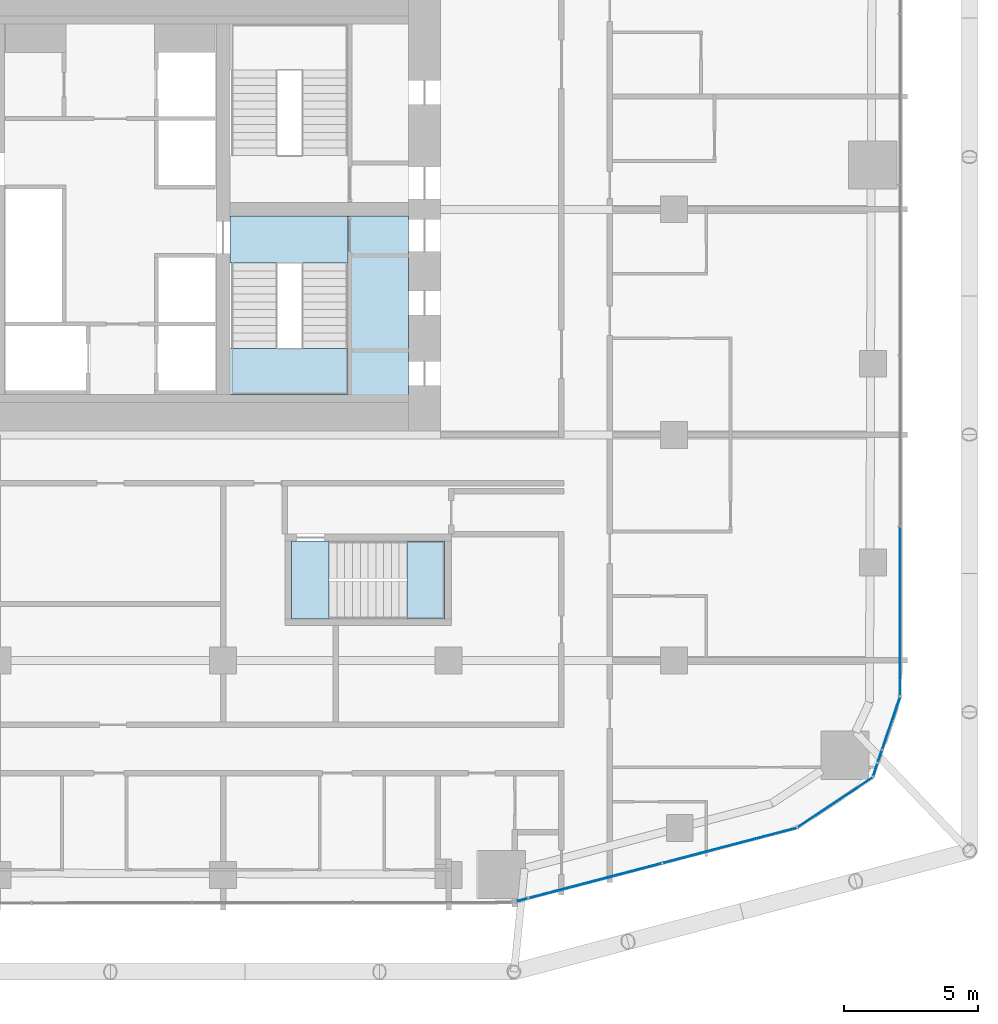
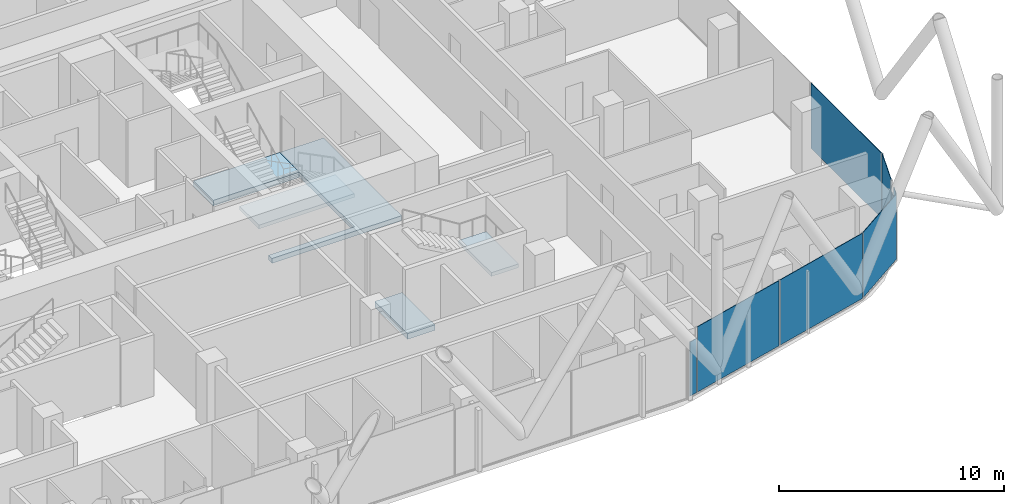
# One storey, part 20 of 34: 8 plates, 5 slabs, 9 elements without a shape of their own.
"""IFC4 building model written with IfcOpenShell, lengths in metres."""

from ifc_helpers import new_model, si_unit, direction, frame, origin, origin_2d, place, context, subcontext, project, spatial, polyline, rectangle, outline, extrude, material, layer, layer_set, type_object, element, aggregate, save


model = new_model("IFC4")

# Units and contexts
model_context = context("Model", 3, precision=1e-05, world=origin(), true_north=direction((0.0, 1.0)))
body_context = subcontext(model_context, "Body", "Model", "MODEL_VIEW")
ifc_project = project(units=[si_unit("LENGTHUNIT", "METRE"), si_unit("AREAUNIT", "SQUARE_METRE"), si_unit("VOLUMEUNIT", "CUBIC_METRE"), si_unit("PLANEANGLEUNIT", "RADIAN"), si_unit("MASSUNIT", "GRAM", prefix="KILO")], contexts=[model_context])

# Site, building, storey
site_placement = place(None, origin())
site = spatial("IfcSite", under=ifc_project, at=site_placement, CompositionType="ELEMENT")
building_placement = place(site_placement, origin())
building = spatial("IfcBuilding", under=site, at=building_placement, Name="Marenta Gate Hotel Tower", CompositionType="ELEMENT")
storey_placement = place(building_placement, frame((0.0, 0.0, 47.300048828125)))
storey = spatial("IfcBuildingStorey", under=building, at=storey_placement, Name="L09", CompositionType="ELEMENT", Elevation=47.300048828125)

# Slab
ifc_material_1 = material(Name="Concrete C40", Category="concrete")
ifc_layer_1 = layer(ifc_material_1, 0.260009765625)
ifc_layer_set_1 = layer_set([ifc_layer_1], Name="Concrete C40")
slab_type_1 = type_object("IfcSlabType", Name="Core floor slab 260", PredefinedType="FLOOR", material=ifc_layer_set_1)
slab_1_placement = place(storey_placement, frame((0.0, 0.0, -0.260009765625)))
element("IfcSlab", 1, at=slab_1_placement, inside=storey, type_object=slab_type_1, Name="L09-CF-2", PredefinedType="FLOOR", context=body_context, shape_type="SweptSolid", body=[
    extrude(outline(polyline([(8.85009765625, 1.5), (8.85009765625, 6.39990234375), (8.85009765625, 8.10009765625), (8.85009765625, 8.14990234375), (11.10009765625, 8.14990234375), (11.10009765625, 1.199951171875), (4.449951171875, 1.199951171875), (4.449951171875, 1.5), (8.85009765625, 1.5)])), origin(), (0.0, 0.0, 1.0), 0.260009765625),
])

# Stair, slab
ifc_material_2 = material(Name="Concrete C40", Category="concrete")
stair_type_1 = type_object("IfcStairType", Name="Core exit stair 1700 wide", PredefinedType="HALF_TURN_STAIR", material=ifc_material_2)
stair_1_placement = place(storey_placement, origin())
stair_1 = element("IfcStair", 2, at=stair_1_placement, inside=storey, type_object=stair_type_1, Name="Exit stair 3", PredefinedType="HALF_TURN_STAIR")
ifc_material_3 = material(Name="Concrete C40", Category="concrete")
ifc_layer_2 = layer(ifc_material_3, 0.199951171875)
ifc_layer_set_2 = layer_set([ifc_layer_2], Name="Concrete C40")
slab_type_2 = type_object("IfcSlabType", Name="Core stair landing 200", PredefinedType="LANDING", material=ifc_layer_set_2)
slab_2_placement = place(storey_placement, frame((0.0, 0.0, 1.599853515625)))
slab_2 = element("IfcSlab", 3, at=slab_2_placement, type_object=slab_type_2, Name="SL-200 ST3 landing 1", PredefinedType="LANDING", context=body_context, shape_type="SweptSolid", body=[
    extrude(outline(polyline([(3.949951171875, 1.5), (8.85009765625, 1.5), (8.85009765625, 3.2099609375), (3.949951171875, 3.2099609375), (3.949951171875, 1.5)])), origin(), (0.0, 0.0, 1.0), 0.2001953125),
])
aggregate(stair_1, [slab_2])

# Curtain wall, plate
ifc_material_4 = material(Name="Tinted insulated glass in bronze anodised frame", Category="glass")
ifc_layer_3 = layer(ifc_material_4, 0.1201171875)
ifc_layer_set_3 = layer_set([ifc_layer_3], Name="Tinted insulated glass in bronze anodised frame")
curtain_wall_type = type_object("IfcCurtainWallType", Name="Tower unitised curtain wall CW1", PredefinedType="NOTDEFINED", material=ifc_layer_set_3)
curtain_wall_1_placement = place(storey_placement, origin())
curtain_wall_1 = element("IfcCurtainWall", 4, at=curtain_wall_1_placement, inside=storey, type_object=curtain_wall_type, Name="CW1 run G12", PredefinedType="NOTDEFINED")
ifc_material_5 = material(Name="Tinted insulated glass", Category="glass")
ifc_layer_4 = layer(ifc_material_5, 0.028076171875)
ifc_layer_set_4 = layer_set([ifc_layer_4], Name="Tinted insulated glass")
plate_type = type_object("IfcPlateType", Name="Glass panel CW1 28 mm tinted insulated unit", PredefinedType="CURTAIN_PANEL", material=ifc_layer_set_4)
plate_1_placement = place(storey_placement, frame((15.337158203125, -17.322998046875, 0.059814453125), z_axis=(0.0, 0.0, 1.0), x_axis=(0.967355319897, 0.25342392363, 0.0)))
plate_1 = element("IfcPlate", 5, at=plate_1_placement, type_object=plate_type, Name="CW1 panel 1.1", PredefinedType="CURTAIN_PANEL", context=body_context, shape_type="SweptSolid", body=[
    extrude(rectangle(XDim=0.42333984375, YDim=0.028076171875, at=origin_2d()), origin(), (0.0, 0.0, 1.0), 2.9404296875),
])
aggregate(curtain_wall_1, [plate_1])

# Curtain wall, plates
curtain_wall_2_placement = place(storey_placement, origin())
curtain_wall_2 = element("IfcCurtainWall", 6, at=curtain_wall_2_placement, inside=storey, type_object=curtain_wall_type, Name="CW1 run G13", PredefinedType="NOTDEFINED")
plate_2_placement = place(storey_placement, frame((18.06298828125, -16.609130859375, 0.059814453125), z_axis=(0.0, 0.0, 1.0), x_axis=(0.967371097224, 0.253363691666, 0.0)))
plate_2 = element("IfcPlate", 7, at=plate_2_placement, type_object=plate_type, Name="CW1 panel 1.1", PredefinedType="CURTAIN_PANEL", context=body_context, shape_type="SweptSolid", body=[
    extrude(rectangle(XDim=5.091796875, YDim=0.028076171875, at=origin_2d()), origin(), (0.0, 0.0, 1.0), 3.5400390625),
])
plate_3_placement = place(storey_placement, frame((23.07568359375, -15.296142578125, 0.059814453125), z_axis=(0.0, 0.0, 1.0), x_axis=(0.967371097224, 0.253363691666, 0.0)))
plate_3 = element("IfcPlate", 8, at=plate_3_placement, type_object=plate_type, Name="CW1 panel 2.1", PredefinedType="CURTAIN_PANEL", context=body_context, shape_type="SweptSolid", body=[
    extrude(rectangle(XDim=5.15185546875, YDim=0.028076171875, at=origin_2d()), origin(), (0.0, 0.0, 1.0), 3.5400390625),
])
aggregate(curtain_wall_2, [plate_2, plate_3])

# Curtain wall, plate
curtain_wall_3_placement = place(storey_placement, origin())
curtain_wall_3 = element("IfcCurtainWall", 9, at=curtain_wall_3_placement, inside=storey, type_object=curtain_wall_type, Name="CW1 run G14", PredefinedType="NOTDEFINED")
plate_4_placement = place(storey_placement, frame((27.006591796875, -13.685791015625, 0.059814453125), z_axis=(0.0, 0.0, 1.0), x_axis=(0.832493824282, 0.554034324326, 0.0)))
plate_4 = element("IfcPlate", 10, at=plate_4_placement, type_object=plate_type, Name="CW1 panel 1.1", PredefinedType="CURTAIN_PANEL", context=body_context, shape_type="SweptSolid", body=[
    extrude(rectangle(XDim=3.33740234375, YDim=0.028076171875, at=origin_2d()), origin(), (0.0, 0.0, 1.0), 3.5400390625),
])
aggregate(curtain_wall_3, [plate_4])

curtain_wall_4_placement = place(storey_placement, origin())
curtain_wall_4 = element("IfcCurtainWall", 11, at=curtain_wall_4_placement, inside=storey, type_object=curtain_wall_type, Name="CW1 run G15", PredefinedType="NOTDEFINED")
plate_5_placement = place(storey_placement, frame((28.493408203125, -12.474609375, 0.059814453125), z_axis=(0.0, 0.0, 1.0), x_axis=(0.322050601446, 0.946722456746, 0.0)))
plate_5 = element("IfcPlate", 12, at=plate_5_placement, type_object=plate_type, Name="CW1 panel 1.1", PredefinedType="CURTAIN_PANEL", context=body_context, shape_type="SweptSolid", body=[
    extrude(rectangle(XDim=0.485595703125, YDim=0.028076171875, at=origin_2d()), origin(), (0.0, 0.0, 1.0), 3.5400390625),
])
aggregate(curtain_wall_4, [plate_5])

curtain_wall_5_placement = place(storey_placement, origin())
curtain_wall_5 = element("IfcCurtainWall", 13, at=curtain_wall_5_placement, inside=storey, type_object=curtain_wall_type, Name="CW1 run G16", PredefinedType="NOTDEFINED")
plate_6_placement = place(storey_placement, frame((28.663330078125, -11.974853515625, 0.059814453125), z_axis=(0.0, 0.0, 1.0), x_axis=(0.321979977321, 0.946746478316, 0.0)))
plate_6 = element("IfcPlate", 14, at=plate_6_placement, type_object=plate_type, Name="CW1 panel 1.1", PredefinedType="CURTAIN_PANEL", context=body_context, shape_type="SweptSolid", body=[
    extrude(rectangle(XDim=0.45068359375, YDim=0.028076171875, at=origin_2d()), origin(), (0.0, 0.0, 1.0), 2.9404296875),
])
aggregate(curtain_wall_5, [plate_6])

curtain_wall_6_placement = place(storey_placement, origin())
curtain_wall_6 = element("IfcCurtainWall", 15, at=curtain_wall_6_placement, inside=storey, type_object=curtain_wall_type, Name="CW1 run G17", PredefinedType="NOTDEFINED")
plate_7_placement = place(storey_placement, frame((29.084716796875, -10.736328125, 0.059814453125), z_axis=(0.0, 0.0, 1.0), x_axis=(0.322034696135, 0.946727867175, 0.0)))
plate_7 = element("IfcPlate", 16, at=plate_7_placement, type_object=plate_type, Name="CW1 panel 1.1", PredefinedType="CURTAIN_PANEL", context=body_context, shape_type="SweptSolid", body=[
    extrude(rectangle(XDim=2.045654296875, YDim=0.028076171875, at=origin_2d()), origin(), (0.0, 0.0, 1.0), 3.5400390625),
])
aggregate(curtain_wall_6, [plate_7])

curtain_wall_7_placement = place(storey_placement, origin())
curtain_wall_7 = element("IfcCurtainWall", 17, at=curtain_wall_7_placement, inside=storey, type_object=curtain_wall_type, Name="CW1 run G18", PredefinedType="NOTDEFINED")
plate_8_placement = place(storey_placement, frame((29.4140625, -6.572998046875, 0.059814453125), z_axis=(0.0, 0.0, 1.0), x_axis=(0.0, 1.0, 0.0)))
plate_8 = element("IfcPlate", 18, at=plate_8_placement, type_object=plate_type, Name="CW1 panel 1.1", PredefinedType="CURTAIN_PANEL", context=body_context, shape_type="SweptSolid", body=[
    extrude(rectangle(XDim=6.27001953125, YDim=0.028076171875, at=origin_2d()), origin(), (0.0, 0.0, 1.0), 3.5400390625),
])
aggregate(curtain_wall_7, [plate_8])

# Stair, slab
ifc_material_6 = material(Name="Concrete C40", Category="concrete")
stair_type_2 = type_object("IfcStairType", Name="Remote exit stair 1400 wide", PredefinedType="HALF_TURN_STAIR", material=ifc_material_6)
stair_2_placement = place(storey_placement, origin())
stair_2 = element("IfcStair", 19, at=stair_2_placement, inside=storey, type_object=stair_type_2, Name="Exit stair RS-Z1-1", PredefinedType="HALF_TURN_STAIR")
ifc_material_7 = material(Name="Concrete C40", Category="concrete")
ifc_layer_5 = layer(ifc_material_7, 0.199951171875)
ifc_layer_set_5 = layer_set([ifc_layer_5], Name="Concrete C40")
slab_type_3 = type_object("IfcSlabType", Name="Remote stair landing 200", PredefinedType="LANDING", material=ifc_layer_set_5)
slab_3_placement = place(storey_placement, frame((0.0, 0.0, 1.599853515625)))
slab_3 = element("IfcSlab", 20, at=slab_3_placement, type_object=slab_type_3, Name="RL-200 RS-Z1-1 landing 1", PredefinedType="LANDING", context=body_context, shape_type="SweptSolid", body=[
    extrude(outline(polyline([(11.050048828125, -6.85009765625), (12.449951171875, -6.85009765625), (12.449951171875, -3.949951171875), (11.050048828125, -3.949951171875), (11.050048828125, -6.85009765625)])), origin(), (0.0, 0.0, 1.0), 0.2001953125),
])
aggregate(stair_2, [slab_3])

# Slabs
ifc_material_8 = material(Name="Concrete C40", Category="concrete")
ifc_layer_6 = layer(ifc_material_8, 0.300048828125)
ifc_layer_set_6 = layer_set([ifc_layer_6], Name="Concrete C40")
slab_type_4 = type_object("IfcSlabType", Name="Stair floor landing slab 300", PredefinedType="FLOOR", material=ifc_layer_set_6)
slab_4_placement = place(storey_placement, frame((0.0, 0.0, -0.300048828125)))
element("IfcSlab", 21, at=slab_4_placement, inside=storey, type_object=slab_type_4, Name="L09-CL-ST3-1", PredefinedType="FLOOR", context=body_context, shape_type="SweptSolid", body=[
    extrude(outline(polyline([(4.449951171875, 6.39990234375), (4.449951171875, 8.14990234375), (8.85009765625, 8.14990234375), (8.85009765625, 8.10009765625), (8.85009765625, 6.39990234375), (4.449951171875, 6.39990234375)])), origin(), (0.0, 0.0, 1.0), 0.300048828125),
])
slab_5_placement = place(storey_placement, frame((0.0, 0.0, -0.300048828125)))
element("IfcSlab", 22, at=slab_5_placement, inside=storey, type_object=slab_type_4, Name="L09-RS-Z1-1-CL", PredefinedType="FLOOR", context=body_context, shape_type="SweptSolid", body=[
    extrude(outline(polyline([(8.14990234375, -6.85009765625), (8.14990234375, -3.949951171875), (6.75, -3.949951171875), (6.75, -6.85009765625), (8.14990234375, -6.85009765625)])), origin(), (0.0, 0.0, 1.0), 0.300048828125),
])

save(model, "model.ifc")
